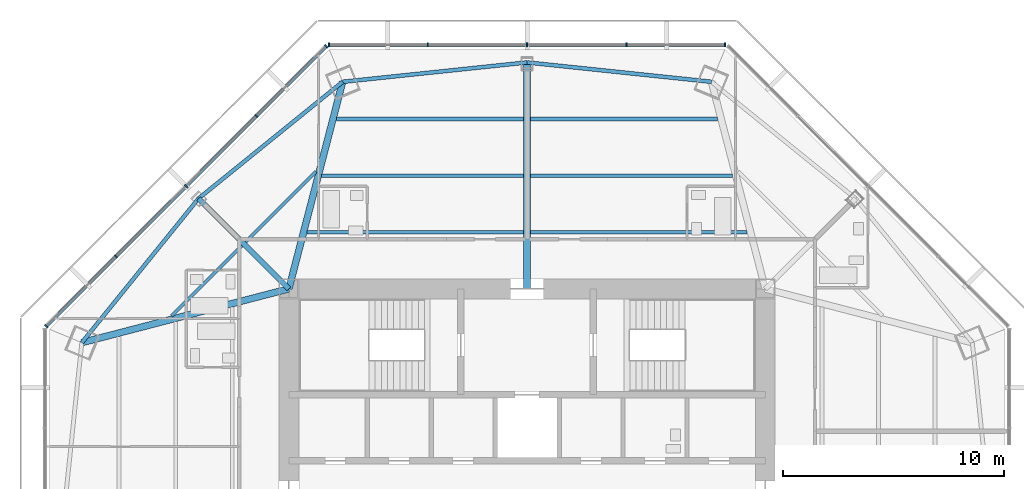
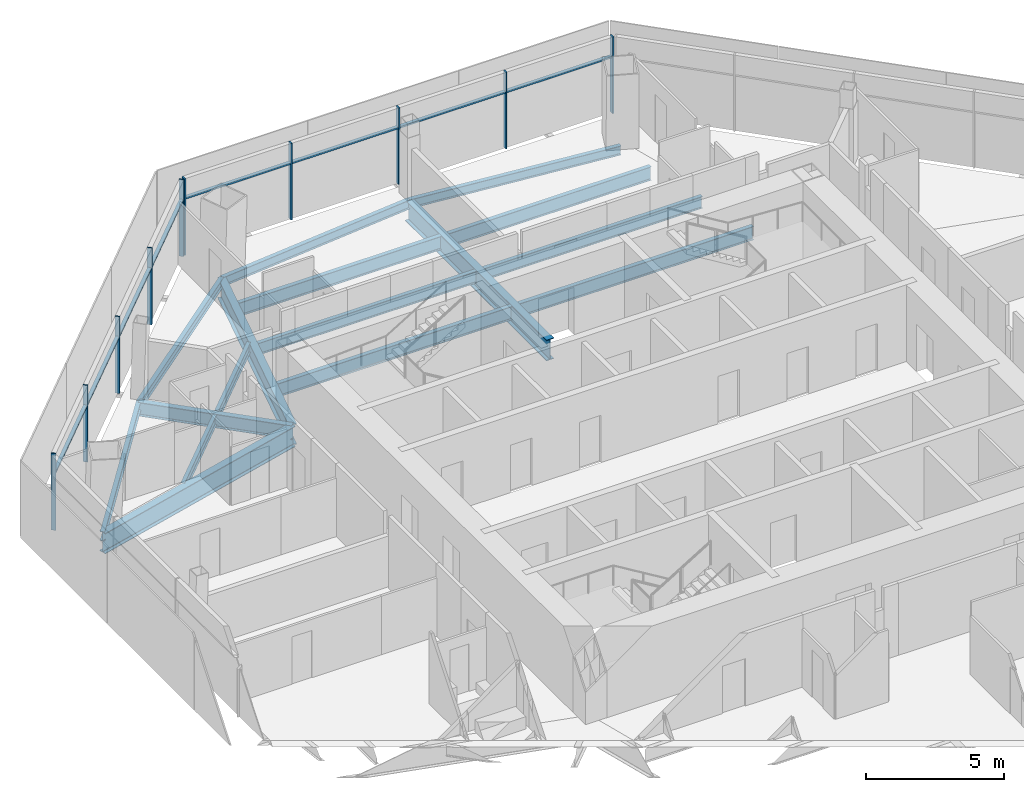
# One storey, part 5 of 16: 18 members, 16 beams, 2 elements without a shape of their own.
"""IFC4 building model written with IfcOpenShell, lengths in metres."""

from ifc_helpers import new_model, si_unit, direction, frame, origin, origin_2d, place, context, subcontext, project, spatial, rectangle, i_section, extrude, source, transform, mapped, material, material_profile, profile_set, type_object, type_shapes, element, aggregate, save


model = new_model("IFC4")

# Units and contexts
model_context = context("Model", 3, precision=1e-05, world=origin(), true_north=direction((0.0, 1.0)))
body_context = subcontext(model_context, "Body", "Model", "MODEL_VIEW")
ifc_project = project(units=[si_unit("LENGTHUNIT", "METRE"), si_unit("AREAUNIT", "SQUARE_METRE"), si_unit("VOLUMEUNIT", "CUBIC_METRE"), si_unit("PLANEANGLEUNIT", "RADIAN"), si_unit("MASSUNIT", "GRAM", prefix="KILO")], contexts=[model_context])

# Site, building, storey
site_placement = place(None, origin())
site = spatial("IfcSite", under=ifc_project, at=site_placement, CompositionType="ELEMENT")
building_placement = place(site_placement, origin())
building = spatial("IfcBuilding", under=site, at=building_placement, Name="Mashrafa Tower", CompositionType="ELEMENT")
storey_placement = place(building_placement, frame((0.0, 0.0, 217.60009765625)))
storey = spatial("IfcBuildingStorey", under=building, at=storey_placement, Name="L50", CompositionType="ELEMENT", Elevation=217.60009765625)

# Beams
ifc_material_1 = material(Name="Steel ASTM A992", Category="steel")
ifc_material_profile_1 = material_profile(ifc_material_1, i_section(OverallWidth=0.177734375, OverallDepth=0.406494140625, WebThickness=0.0078125, FlangeThickness=0.012939453125, FilletRadius=0.01025390625, at=origin_2d()), Name="W16X40")
ifc_profile_set_1 = profile_set([ifc_material_profile_1], Name="Steel ASTM A992")
beam_type_1 = type_object("IfcBeamType", Name="Beam W16X40", PredefinedType="BEAM", material=ifc_profile_set_1)
for number, where, z_axis, x_axis, name in (
    (1, (-14.89501953125, 14.89501953125, -0.4033203125), (-0.62937948312, -0.777098105922, 0.0), (0.777098105922, -0.62937948312, 0.0), "Spandrel beam L50 053"),
    (2, (-8.361572265625, 20.1865234375, -0.4033203125), (-0.777098105922, -0.62937948312, 0.0), (0.62937948312, -0.777098105922, 0.0), "Spandrel beam L50 055"),
    (3, (0.0, 21.064697265625, -0.4033203125), (-0.994530087923, -0.104450486912, 0.0), (0.104450486912, -0.994530087923, 0.0), "Spandrel beam L50 057"),
    (4, (8.361572265625, 20.1865234375, -0.4033203125), (-0.994530087923, 0.104450486912, 0.0), (-0.104450486912, -0.994530087923, 0.0), "Spandrel beam L50 059"),
):
    element("IfcBeam", number, at=place(storey_placement, frame(where, z_axis=z_axis, x_axis=x_axis)), inside=storey, type_object=beam_type_1, Name=name, PredefinedType="BEAM", context=body_context, shape_type="SweptSolid", body=[
        extrude(i_section(OverallWidth=0.177734375, OverallDepth=0.406494140625, WebThickness=0.0078125, FlangeThickness=0.012939453125, FilletRadius=0.01025390625, at=origin_2d()), origin(), (0.0, 0.0, 1.0), 8.407470703125),
    ])
ifc_material_2 = material(Name="Steel ASTM A992", Category="steel")
ifc_material_profile_2 = material_profile(ifc_material_2, i_section(OverallWidth=0.15234375, OverallDepth=0.449462890625, WebThickness=0.007568359375, FlangeThickness=0.0107421875, FilletRadius=0.01025390625, at=origin_2d()), Name="W18X35")
ifc_profile_set_2 = profile_set([ifc_material_profile_2], Name="Steel ASTM A992")
beam_type_2 = type_object("IfcBeamType", Name="Beam W18X35", PredefinedType="BEAM", material=ifc_profile_set_2)
for number, where, z_axis, x_axis, name in (
    (5, (-16.119384765625, 9.57568359375, -0.4248046875), (0.707106781187, 0.707106781187, 0.0), (-0.707106781187, 0.707106781187, 0.0), "Floor beam L50 003"),
    (6, (-12.7666015625, 12.928466796875, -0.4248046875), (0.707106781187, 0.707106781187, 0.0), (-0.707106781187, 0.707106781187, 0.0), "Floor beam L50 009"),
):
    element("IfcBeam", number, at=place(storey_placement, frame(where, z_axis=z_axis, x_axis=x_axis)), inside=storey, type_object=beam_type_2, Name=name, PredefinedType="BEAM", context=body_context, shape_type="SweptSolid", body=[
        extrude(i_section(OverallWidth=0.15234375, OverallDepth=0.449462890625, WebThickness=0.007568359375, FlangeThickness=0.0107421875, FilletRadius=0.01025390625, at=origin_2d()), origin(), (0.0, 0.0, 1.0), 4.5126953125),
    ])
ifc_material_3 = material(Name="Steel ASTM A992", Category="steel")
ifc_material_profile_3 = material_profile(ifc_material_3, i_section(OverallWidth=0.1650390625, OverallDepth=0.52587890625, WebThickness=0.0087890625, FlangeThickness=0.011474609375, FilletRadius=0.0126953125, at=origin_2d()), Name="W21X44")
ifc_profile_set_3 = profile_set([ifc_material_profile_3], Name="Steel ASTM A992")
beam_type_3 = type_object("IfcBeamType", Name="Beam W21X44", PredefinedType="BEAM", material=ifc_profile_set_3)
for number, where, z_axis, x_axis, name in (
    (7, (-9.30908203125, 15.932373046875, -0.462890625), (1.0, 0.0, 0.0), (0.0, 1.0, 0.0), "Floor beam L50 011"),
    (8, (0.15380859375, 15.932373046875, -0.462890625), (1.0, 0.0, 0.0), (0.0, 1.0, 0.0), "Floor beam L50 018"),
):
    element("IfcBeam", number, at=place(storey_placement, frame(where, z_axis=z_axis, x_axis=x_axis)), inside=storey, type_object=beam_type_3, Name=name, PredefinedType="BEAM", context=body_context, shape_type="SweptSolid", body=[
        extrude(i_section(OverallWidth=0.1650390625, OverallDepth=0.52587890625, WebThickness=0.0087890625, FlangeThickness=0.011474609375, FilletRadius=0.0126953125, at=origin_2d()), origin(), (0.0, 0.0, 1.0), 9.1552734375),
    ])
ifc_material_4 = material(Name="Steel ASTM A992", Category="steel")
ifc_material_profile_4 = material_profile(ifc_material_4, i_section(OverallWidth=0.177978515625, OverallDepth=0.599365234375, WebThickness=0.010009765625, FlangeThickness=0.012939453125, FilletRadius=0.012939453125, at=origin_2d()), Name="W24X55")
ifc_profile_set_4 = profile_set([ifc_material_profile_4], Name="Steel ASTM A992")
beam_type_4 = type_object("IfcBeamType", Name="Beam W24X55", PredefinedType="BEAM", material=ifc_profile_set_4)
beam_1_placement = place(storey_placement, frame((-9.975830078125, 13.3662109375, -0.499755859375), z_axis=(1.0, 0.0, 0.0), x_axis=(0.0, 1.0, 0.0)))
element("IfcBeam", 9, at=beam_1_placement, inside=storey, type_object=beam_type_4, Name="Floor beam L50 010", PredefinedType="BEAM", context=body_context, shape_type="SweptSolid", body=[
    extrude(i_section(OverallWidth=0.177978515625, OverallDepth=0.599365234375, WebThickness=0.010009765625, FlangeThickness=0.012939453125, FilletRadius=0.012939453125, at=origin_2d()), origin(), (0.0, 0.0, 1.0), 9.822021484375),
])
beam_2_placement = place(storey_placement, frame((-8.642578125, 18.49853515625, -0.499755859375), z_axis=(1.0, 0.0, 0.0), x_axis=(0.0, 1.0, 0.0)))
element("IfcBeam", 10, at=beam_2_placement, inside=storey, type_object=beam_type_4, Name="Floor beam L50 013", PredefinedType="BEAM", context=body_context, shape_type="SweptSolid", body=[
    extrude(i_section(OverallWidth=0.177978515625, OverallDepth=0.599365234375, WebThickness=0.010009765625, FlangeThickness=0.012939453125, FilletRadius=0.012939453125, at=origin_2d()), origin(), (0.0, 0.0, 1.0), 8.48876953125),
])
beam_3_placement = place(storey_placement, frame((0.15380859375, 13.3662109375, -0.499755859375), z_axis=(1.0, 0.0, 0.0), x_axis=(0.0, 1.0, 0.0)))
element("IfcBeam", 11, at=beam_3_placement, inside=storey, type_object=beam_type_4, Name="Floor beam L50 017", PredefinedType="BEAM", context=body_context, shape_type="SweptSolid", body=[
    extrude(i_section(OverallWidth=0.177978515625, OverallDepth=0.599365234375, WebThickness=0.010009765625, FlangeThickness=0.012939453125, FilletRadius=0.012939453125, at=origin_2d()), origin(), (0.0, 0.0, 1.0), 9.822021484375),
])
beam_4_placement = place(storey_placement, frame((0.15380859375, 18.49853515625, -0.499755859375), z_axis=(1.0, 0.0, 0.0), x_axis=(0.0, 1.0, 0.0)))
element("IfcBeam", 12, at=beam_4_placement, inside=storey, type_object=beam_type_4, Name="Floor beam L50 019", PredefinedType="BEAM", context=body_context, shape_type="SweptSolid", body=[
    extrude(i_section(OverallWidth=0.177978515625, OverallDepth=0.599365234375, WebThickness=0.010009765625, FlangeThickness=0.012939453125, FilletRadius=0.012939453125, at=origin_2d()), origin(), (0.0, 0.0, 1.0), 8.48876953125),
])
ifc_material_5 = material(Name="Steel ASTM A992", Category="steel")
ifc_material_profile_5 = material_profile(ifc_material_5, i_section(OverallWidth=0.22900390625, OverallDepth=0.612060546875, WebThickness=0.011962890625, FlangeThickness=0.01953125, FilletRadius=0.0126953125, at=origin_2d()), Name="W24X84")
ifc_profile_set_5 = profile_set([ifc_material_profile_5], Name="Steel ASTM A992")
beam_type_5 = type_object("IfcBeamType", Name="Beam W24X84", PredefinedType="BEAM", material=ifc_profile_set_5)
beam_5_placement = place(storey_placement, frame((-10.800048828125, 10.800048828125, -0.506103515625), z_axis=(-0.707106781187, 0.707106781187, 0.0), x_axis=(-0.707106781187, -0.707106781187, 0.0)))
element("IfcBeam", 13, at=beam_5_placement, inside=storey, type_object=beam_type_5, Name="Radial girder L50 038", PredefinedType="BEAM", context=body_context, shape_type="SweptSolid", body=[
    extrude(i_section(OverallWidth=0.22900390625, OverallDepth=0.612060546875, WebThickness=0.011962890625, FlangeThickness=0.01953125, FilletRadius=0.0126953125, at=origin_2d()), origin(), (0.0, 0.0, 1.0), 5.791259765625),
])
ifc_material_6 = material(Name="Steel ASTM A992", Category="steel")
ifc_material_profile_6 = material_profile(ifc_material_6, i_section(OverallWidth=0.3046875, OverallDepth=0.911865234375, WebThickness=0.015869140625, FlangeThickness=0.02392578125, FilletRadius=0.01904296875, at=origin_2d()), Name="W36X150")
ifc_profile_set_6 = profile_set([ifc_material_profile_6], Name="Steel ASTM A992")
beam_type_6 = type_object("IfcBeamType", Name="Beam W36X150", PredefinedType="BEAM", material=ifc_profile_set_6)
for number, where, z_axis, x_axis, name in (
    (14, (-10.800048828125, 10.800048828125, -0.656005859375), (-0.967872882961, -0.251440017557, 0.0), (0.251440017557, -0.967872882961, 0.0), "Radial girder L50 037"),
    (15, (-10.800048828125, 10.800048828125, -0.656005859375), (0.251440017557, 0.967872882961, 0.0), (-0.967872882961, 0.251440017557, 0.0), "Radial girder L50 039"),
):
    element("IfcBeam", number, at=place(storey_placement, frame(where, z_axis=z_axis, x_axis=x_axis)), inside=storey, type_object=beam_type_6, Name=name, PredefinedType="BEAM", context=body_context, shape_type="SweptSolid", body=[
        extrude(i_section(OverallWidth=0.3046875, OverallDepth=0.911865234375, WebThickness=0.015869140625, FlangeThickness=0.02392578125, FilletRadius=0.01904296875, at=origin_2d()), origin(), (0.0, 0.0, 1.0), 9.697998046875),
    ])
ifc_material_7 = material(Name="Steel ASTM A992", Category="steel")
ifc_material_profile_7 = material_profile(ifc_material_7, i_section(OverallWidth=0.307373046875, OverallDepth=0.927001953125, WebThickness=0.01953125, FlangeThickness=0.031982421875, FilletRadius=0.01904296875, at=origin_2d()), Name="W36X194")
ifc_profile_set_7 = profile_set([ifc_material_profile_7], Name="Steel ASTM A992")
beam_type_7 = type_object("IfcBeamType", Name="Beam W36X194", PredefinedType="BEAM", material=ifc_profile_set_7)
beam_6_placement = place(storey_placement, frame((0.0, 10.800048828125, -0.66357421875), z_axis=(0.0, 1.0, 0.0), x_axis=(-1.0, 0.0, 0.0)))
element("IfcBeam", 16, at=beam_6_placement, inside=storey, type_object=beam_type_7, Name="Radial girder L50 041", PredefinedType="BEAM", context=body_context, shape_type="SweptSolid", body=[
    extrude(i_section(OverallWidth=0.307373046875, OverallDepth=0.927001953125, WebThickness=0.01953125, FlangeThickness=0.031982421875, FilletRadius=0.01904296875, at=origin_2d()), origin(), (0.0, 0.0, 1.0), 10.2646484375),
])

# Curtain wall, members
ifc_material_8 = material(Name="Unitised aluminium curtain wall", Category="aluminium")
curtain_wall_type = type_object("IfcCurtainWallType", Name="Apartment curtain wall, zone 3 CW-C 180 deep", PredefinedType="NOTDEFINED", material=ifc_material_8)
curtain_wall_1_placement = place(storey_placement, origin())
curtain_wall_1 = element("IfcCurtainWall", 17, at=curtain_wall_1_placement, inside=storey, type_object=curtain_wall_type, Name="Apartment curtain wall, zone 3 L50 north", PredefinedType="NOTDEFINED")
ifc_material_9 = material(Name="Extruded aluminium mullion", Category="aluminium")
ifc_material_profile_8 = material_profile(ifc_material_9, rectangle(XDim=0.179931640625, YDim=0.06005859375, at=origin_2d()), Name="Mullion 60x180")
ifc_profile_set_8 = profile_set([ifc_material_profile_8], Name="Extruded aluminium mullion")
member_type_1 = type_object("IfcMemberType", Name="Mullion CW-C 60 x 180", PredefinedType="MULLION", material=ifc_profile_set_8)
shared_shape_1 = source(origin(), body_context, "Body", "SweptSolid", [
    extrude(rectangle(XDim=0.179931640625, YDim=0.06005859375, at=origin_2d()), origin(), (0.0, 0.0, 1.0), 3.39990234375),
])
type_shapes(member_type_1, [shared_shape_1])
member_1_placement = place(storey_placement, frame((8.97705078125, 21.859130859375, 0.0), z_axis=(0.0, 0.0, 1.0), x_axis=(0.0, -1.0, 0.0)))
member_1 = element("IfcMember", 18, at=member_1_placement, type_object=member_type_1, Name="CW-C mullion 1", PredefinedType="MULLION", context=body_context, shape_type="MappedRepresentation", body=[
    mapped(shared_shape_1, transform((0.0, 0.0, 0.0))),
])
member_2_placement = place(storey_placement, frame((4.50341796875, 21.859130859375, 0.0), z_axis=(0.0, 0.0, 1.0), x_axis=(0.0, -1.0, 0.0)))
member_2 = element("IfcMember", 19, at=member_2_placement, type_object=member_type_1, Name="CW-C mullion 2", PredefinedType="MULLION", context=body_context, shape_type="MappedRepresentation", body=[
    mapped(shared_shape_1, transform((0.0, 0.0, 0.0))),
])
member_3_placement = place(storey_placement, frame((0.0, 21.859130859375, 0.0), z_axis=(0.0, 0.0, 1.0), x_axis=(0.0, -1.0, 0.0)))
member_3 = element("IfcMember", 20, at=member_3_placement, type_object=member_type_1, Name="CW-C mullion 3", PredefinedType="MULLION", context=body_context, shape_type="MappedRepresentation", body=[
    mapped(shared_shape_1, transform((0.0, 0.0, 0.0))),
])
member_4_placement = place(storey_placement, frame((-4.50341796875, 21.859130859375, 0.0), z_axis=(0.0, 0.0, 1.0), x_axis=(0.0, -1.0, 0.0)))
member_4 = element("IfcMember", 21, at=member_4_placement, type_object=member_type_1, Name="CW-C mullion 4", PredefinedType="MULLION", context=body_context, shape_type="MappedRepresentation", body=[
    mapped(shared_shape_1, transform((0.0, 0.0, 0.0))),
])
member_5_placement = place(storey_placement, frame((-8.97705078125, 21.859130859375, 0.0), z_axis=(0.0, 0.0, 1.0), x_axis=(0.0, -1.0, 0.0)))
member_5 = element("IfcMember", 22, at=member_5_placement, type_object=member_type_1, Name="CW-C mullion 5", PredefinedType="MULLION", context=body_context, shape_type="MappedRepresentation", body=[
    mapped(shared_shape_1, transform((0.0, 0.0, 0.0))),
])

curtain_wall_2_placement = place(storey_placement, origin())
curtain_wall_2 = element("IfcCurtainWall", 23, at=curtain_wall_2_placement, inside=storey, type_object=curtain_wall_type, Name="Apartment curtain wall, zone 3 L50 north-west", PredefinedType="NOTDEFINED")
member_6_placement = place(storey_placement, frame((-9.10888671875, 21.804443359375, 0.0), z_axis=(0.0, 0.0, 1.0), x_axis=(0.707106781187, -0.707106781187, 0.0)))
member_6 = element("IfcMember", 24, at=member_6_placement, type_object=member_type_1, Name="CW-C mullion 1", PredefinedType="MULLION", context=body_context, shape_type="MappedRepresentation", body=[
    mapped(shared_shape_1, transform((0.0, 0.0, 0.0))),
])
member_7_placement = place(storey_placement, frame((-12.272216796875, 18.64111328125, 0.0), z_axis=(0.0, 0.0, 1.0), x_axis=(0.707106781187, -0.707106781187, 0.0)))
member_7 = element("IfcMember", 25, at=member_7_placement, type_object=member_type_1, Name="CW-C mullion 2", PredefinedType="MULLION", context=body_context, shape_type="MappedRepresentation", body=[
    mapped(shared_shape_1, transform((0.0, 0.0, 0.0))),
])
member_8_placement = place(storey_placement, frame((-15.456787109375, 15.456787109375, 0.0), z_axis=(0.0, 0.0, 1.0), x_axis=(0.707106781187, -0.707106781187, 0.0)))
member_8 = element("IfcMember", 26, at=member_8_placement, type_object=member_type_1, Name="CW-C mullion 3", PredefinedType="MULLION", context=body_context, shape_type="MappedRepresentation", body=[
    mapped(shared_shape_1, transform((0.0, 0.0, 0.0))),
])
member_9_placement = place(storey_placement, frame((-18.64111328125, 12.272216796875, 0.0), z_axis=(0.0, 0.0, 1.0), x_axis=(0.707106781187, -0.707106781187, 0.0)))
member_9 = element("IfcMember", 27, at=member_9_placement, type_object=member_type_1, Name="CW-C mullion 4", PredefinedType="MULLION", context=body_context, shape_type="MappedRepresentation", body=[
    mapped(shared_shape_1, transform((0.0, 0.0, 0.0))),
])
member_10_placement = place(storey_placement, frame((-21.804443359375, 9.10888671875, 0.0), z_axis=(0.0, 0.0, 1.0), x_axis=(0.707106781187, -0.707106781187, 0.0)))
member_10 = element("IfcMember", 28, at=member_10_placement, type_object=member_type_1, Name="CW-C mullion 5", PredefinedType="MULLION", context=body_context, shape_type="MappedRepresentation", body=[
    mapped(shared_shape_1, transform((0.0, 0.0, 0.0))),
])

# Member
ifc_material_10 = material(Name="Extruded aluminium transom", Category="aluminium")
ifc_material_profile_9 = material_profile(ifc_material_10, rectangle(XDim=0.14404296875, YDim=0.074951171875, at=origin_2d()), Name="Transom 75x144")
ifc_profile_set_9 = profile_set([ifc_material_profile_9], Name="Extruded aluminium transom")
member_type_2 = type_object("IfcMemberType", Name="Transom CW-C 75 x 144", PredefinedType="MULLION", material=ifc_profile_set_9)
shared_shape_2 = source(origin(), body_context, "Body", "SweptSolid", [
    extrude(rectangle(XDim=0.14404296875, YDim=0.074951171875, at=origin_2d()), origin(), (0.0, 0.0, 1.0), 4.41357421875),
])
member_11_placement = place(storey_placement, frame((8.947021484375, 21.859130859375, 2.5), z_axis=(-1.0, 0.0, 0.0), x_axis=(0.0, -1.0, 0.0)))
member_11 = element("IfcMember", 29, at=member_11_placement, type_object=member_type_2, Name="CW-C transom 1", PredefinedType="MULLION", context=body_context, shape_type="MappedRepresentation", body=[
    mapped(shared_shape_2, transform((0.0, 0.0, 0.0))),
])

member_12_placement = place(storey_placement, frame((-4.533447265625, 21.859130859375, 2.5), z_axis=(-1.0, 0.0, 0.0), x_axis=(0.0, -1.0, 0.0)))
member_12 = element("IfcMember", 30, at=member_12_placement, type_object=member_type_2, Name="CW-C transom 4", PredefinedType="MULLION", context=body_context, shape_type="MappedRepresentation", body=[
    mapped(shared_shape_2, transform((0.0, 0.0, 0.0))),
])

member_13_placement = place(storey_placement, frame((-9.130126953125, 21.783203125, 2.5), z_axis=(-0.707106781187, -0.707106781187, 0.0), x_axis=(0.707106781187, -0.707106781187, 0.0)))
member_13 = element("IfcMember", 31, at=member_13_placement, type_object=member_type_2, Name="CW-C transom 1", PredefinedType="MULLION", context=body_context, shape_type="MappedRepresentation", body=[
    mapped(shared_shape_2, transform((0.0, 0.0, 0.0))),
])

member_14_placement = place(storey_placement, frame((-18.662353515625, 12.2509765625, 2.5), z_axis=(-0.707106781187, -0.707106781187, 0.0), x_axis=(0.707106781187, -0.707106781187, 0.0)))
member_14 = element("IfcMember", 32, at=member_14_placement, type_object=member_type_2, Name="CW-C transom 4", PredefinedType="MULLION", context=body_context, shape_type="MappedRepresentation", body=[
    mapped(shared_shape_2, transform((0.0, 0.0, 0.0))),
])

shared_shape_3 = source(origin(), body_context, "Body", "SweptSolid", [
    extrude(rectangle(XDim=0.14404296875, YDim=0.074951171875, at=origin_2d()), origin(), (0.0, 0.0, 1.0), 4.443603515625),
])
type_shapes(member_type_2, [shared_shape_2, shared_shape_3])
member_15_placement = place(storey_placement, frame((4.4736328125, 21.859130859375, 2.5), z_axis=(-1.0, 0.0, 0.0), x_axis=(0.0, -1.0, 0.0)))
member_15 = element("IfcMember", 33, at=member_15_placement, type_object=member_type_2, Name="CW-C transom 2", PredefinedType="MULLION", context=body_context, shape_type="MappedRepresentation", body=[
    mapped(shared_shape_3, transform((0.0, 0.0, 0.0))),
])

member_16_placement = place(storey_placement, frame((-0.030029296875, 21.859130859375, 2.5), z_axis=(-1.0, 0.0, 0.0), x_axis=(0.0, -1.0, 0.0)))
member_16 = element("IfcMember", 34, at=member_16_placement, type_object=member_type_2, Name="CW-C transom 3", PredefinedType="MULLION", context=body_context, shape_type="MappedRepresentation", body=[
    mapped(shared_shape_3, transform((0.0, 0.0, 0.0))),
])

aggregate(curtain_wall_1, [member_1, member_2, member_3, member_4, member_5, member_11, member_15, member_16, member_12])

member_17_placement = place(storey_placement, frame((-12.29345703125, 18.6201171875, 2.5), z_axis=(-0.707106781187, -0.707106781187, 0.0), x_axis=(0.707106781187, -0.707106781187, 0.0)))
member_17 = element("IfcMember", 35, at=member_17_placement, type_object=member_type_2, Name="CW-C transom 2", PredefinedType="MULLION", context=body_context, shape_type="MappedRepresentation", body=[
    mapped(shared_shape_3, transform((0.0, 0.0, 0.0))),
])

member_18_placement = place(storey_placement, frame((-15.47802734375, 15.435546875, 2.5), z_axis=(-0.707106781187, -0.707106781187, 0.0), x_axis=(0.707106781187, -0.707106781187, 0.0)))
member_18 = element("IfcMember", 36, at=member_18_placement, type_object=member_type_2, Name="CW-C transom 3", PredefinedType="MULLION", context=body_context, shape_type="MappedRepresentation", body=[
    mapped(shared_shape_3, transform((0.0, 0.0, 0.0))),
])

aggregate(curtain_wall_2, [member_6, member_7, member_8, member_9, member_10, member_13, member_17, member_18, member_14])

save(model, "model.ifc")
